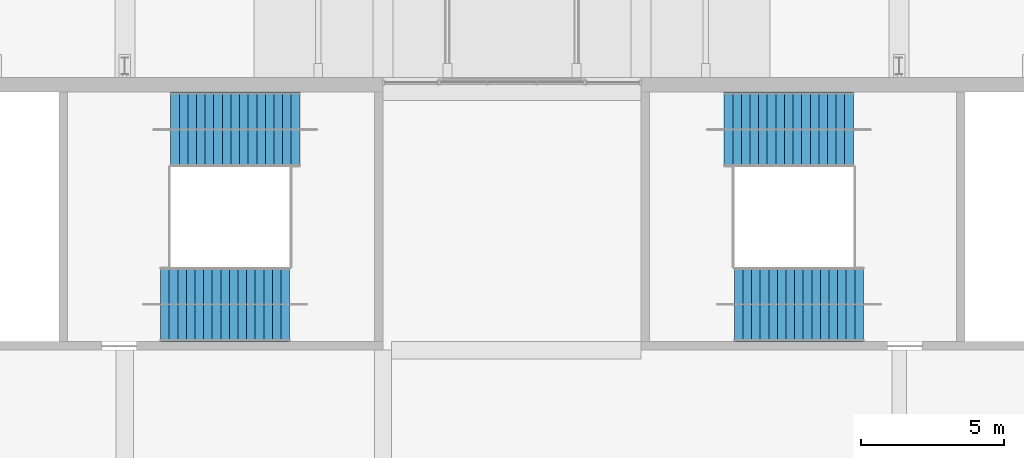
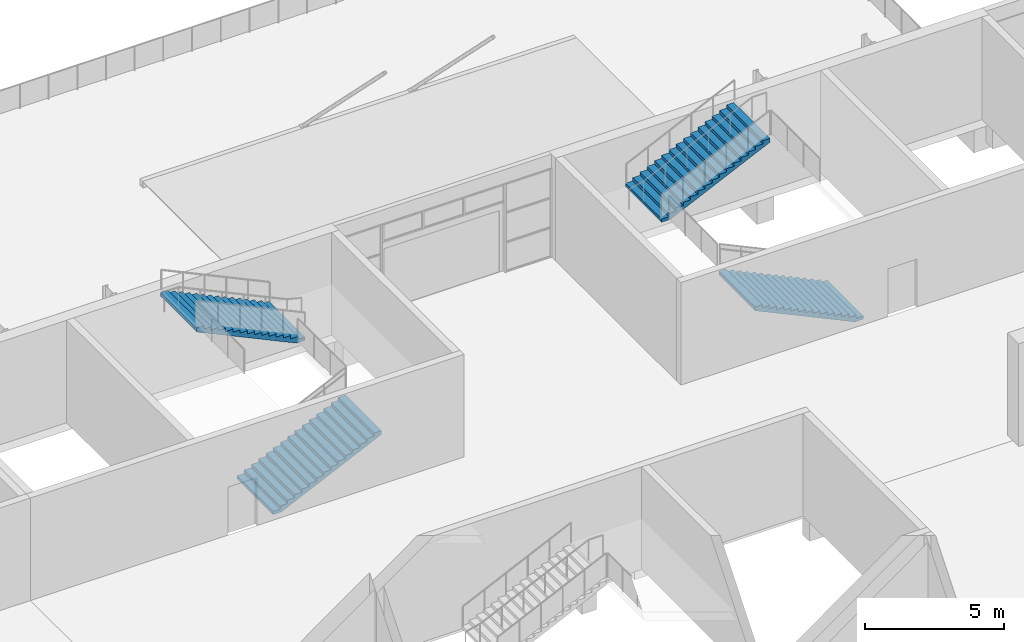
# One storey, part 111 of 168: 4 stair flights, 2 elements without a shape of their own.
"""IFC4 building model written with IfcOpenShell, lengths in metres."""

from ifc_helpers import new_model, si_unit, direction, frame, origin, place, context, subcontext, project, spatial, polyline, outline, extrude, material, type_object, element, aggregate, save


model = new_model("IFC4")

# Units and contexts
model_context = context("Model", 3, precision=1e-05, world=origin(), true_north=direction((0.0, 1.0)))
body_context = subcontext(model_context, "Body", "Model", "MODEL_VIEW")
ifc_project = project(units=[si_unit("LENGTHUNIT", "METRE"), si_unit("AREAUNIT", "SQUARE_METRE"), si_unit("VOLUMEUNIT", "CUBIC_METRE"), si_unit("PLANEANGLEUNIT", "RADIAN"), si_unit("MASSUNIT", "GRAM", prefix="KILO")], contexts=[model_context])

# Site, building, storey
site_placement = place(None, origin())
site = spatial("IfcSite", under=ifc_project, at=site_placement, CompositionType="ELEMENT")
building_placement = place(site_placement, origin())
building = spatial("IfcBuilding", under=site, at=building_placement, Name="Silverbay Arena", CompositionType="ELEMENT")
storey_placement = place(building_placement, frame((0.0, 0.0, 7.0)))
storey = spatial("IfcBuildingStorey", under=building, at=storey_placement, Name="L01", CompositionType="ELEMENT", Elevation=7.0)

# Stair, stair flights
ifc_material_1 = material(Name="Concrete Grade C45", Category="concrete")
stair_type = type_object("IfcStairType", Name="Stair 2600 wide 32 risers 140.6 x 300", PredefinedType="HALF_TURN_STAIR", material=ifc_material_1)
stair_1_placement = place(storey_placement, origin())
stair_1 = element("IfcStair", 1, at=stair_1_placement, inside=storey, type_object=stair_type, Name="Stair ST-N4 L01 to L02", PredefinedType="HALF_TURN_STAIR")
ifc_material_2 = material(Name="Concrete Grade C45", Category="concrete")
stair_flight_type = type_object("IfcStairFlightType", Name="Stair flight 2600 wide 16 risers 140.6 x 300", PredefinedType="STRAIGHT", material=ifc_material_2)
stair_flight_1_placement = place(storey_placement, frame((172.24658203125, 136.60009765625, 0.0), z_axis=(0.0, 0.0, 1.0), x_axis=(1.0, 0.0, 0.0)))
stair_flight_1 = element("IfcStairFlight", 2, at=stair_flight_1_placement, type_object=stair_flight_type, Name="Stair ST-N4 L01 to L02 flight 1", NumberOfRisers=16, NumberOfTreads=15, PredefinedType="STRAIGHT", RiserHeight=0.140625, TreadLength=0.3, context=body_context, shape_type="SweptSolid", body=[
    extrude(outline(polyline([(0.0, 0.0), (0.0, 0.140625), (0.300048828125, 0.140625), (0.300048828125, 0.28125), (0.60009765625, 0.28125), (0.60009765625, 0.421875), (0.89990234375, 0.421875), (0.89990234375, 0.5625), (1.199951171875, 0.5625), (1.199951171875, 0.703125), (1.5, 0.703125), (1.5, 0.84375), (1.800048828125, 0.84375), (1.800048828125, 0.984375), (2.10009765625, 0.984375), (2.10009765625, 1.125), (2.39990234375, 1.125), (2.39990234375, 1.265625), (2.699951171875, 1.265625), (2.699951171875, 1.40625), (3.0, 1.40625), (3.0, 1.546875), (3.300048828125, 1.546875), (3.300048828125, 1.6875), (3.60009765625, 1.6875), (3.60009765625, 1.828125), (3.89990234375, 1.828125), (3.89990234375, 1.96875), (4.199951171875, 1.96875), (4.199951171875, 2.109375), (4.5, 2.109375), (4.5, 1.94384765625), (0.353271484375, 0.0), (0.0, 0.0)])), frame((0.0, 1.300048828125, 0.0), z_axis=(0.0, -1.0, 0.0), x_axis=(1.0, 0.0, 0.0)), (0.0, 0.0, 1.0), 2.60009765625),
])
stair_flight_2_placement = place(storey_placement, frame((177.10009765625, 142.699951171875, 2.25), z_axis=(0.0, 0.0, 1.0), x_axis=(-1.0, 0.0, 0.0)))
stair_flight_2 = element("IfcStairFlight", 3, at=stair_flight_2_placement, type_object=stair_flight_type, Name="Stair ST-N4 L01 to L02 flight 2", NumberOfRisers=16, NumberOfTreads=15, PredefinedType="STRAIGHT", RiserHeight=0.140625, TreadLength=0.3, context=body_context, shape_type="SweptSolid", body=[
    extrude(outline(polyline([(0.0, 0.0), (0.0, 0.140625), (0.300048828125, 0.140625), (0.300048828125, 0.28125), (0.60009765625, 0.28125), (0.60009765625, 0.421875), (0.89990234375, 0.421875), (0.89990234375, 0.5625), (1.199951171875, 0.5625), (1.199951171875, 0.703125), (1.5, 0.703125), (1.5, 0.84375), (1.800048828125, 0.84375), (1.800048828125, 0.984375), (2.10009765625, 0.984375), (2.10009765625, 1.125), (2.39990234375, 1.125), (2.39990234375, 1.265625), (2.699951171875, 1.265625), (2.699951171875, 1.40625), (3.0, 1.40625), (3.0, 1.546875), (3.300048828125, 1.546875), (3.300048828125, 1.6875), (3.60009765625, 1.6875), (3.60009765625, 1.828125), (3.89990234375, 1.828125), (3.89990234375, 1.96875), (4.199951171875, 1.96875), (4.199951171875, 2.109375), (4.5, 2.109375), (4.5, 1.94384765625), (0.353271484375, 0.0), (0.0, 0.0)])), frame((0.0, 1.300048828125, 0.0), z_axis=(0.0, -1.0, 0.0), x_axis=(1.0, 0.0, 0.0)), (0.0, 0.0, 1.0), 2.60009765625),
])
aggregate(stair_1, [stair_flight_1, stair_flight_2])

stair_2_placement = place(storey_placement, origin())
stair_2 = element("IfcStair", 4, at=stair_2_placement, inside=storey, type_object=stair_type, Name="Stair ST-N6 L01 to L02", PredefinedType="HALF_TURN_STAIR")
stair_flight_3_placement = place(storey_placement, frame((196.75341796875, 136.60009765625, 0.0), z_axis=(0.0, 0.0, 1.0), x_axis=(-1.0, 0.0, 0.0)))
stair_flight_3 = element("IfcStairFlight", 5, at=stair_flight_3_placement, type_object=stair_flight_type, Name="Stair ST-N6 L01 to L02 flight 1", NumberOfRisers=16, NumberOfTreads=15, PredefinedType="STRAIGHT", RiserHeight=0.140625, TreadLength=0.3, context=body_context, shape_type="SweptSolid", body=[
    extrude(outline(polyline([(0.0, 0.0), (0.0, 0.140625), (0.300048828125, 0.140625), (0.300048828125, 0.28125), (0.60009765625, 0.28125), (0.60009765625, 0.421875), (0.89990234375, 0.421875), (0.89990234375, 0.5625), (1.199951171875, 0.5625), (1.199951171875, 0.703125), (1.5, 0.703125), (1.5, 0.84375), (1.800048828125, 0.84375), (1.800048828125, 0.984375), (2.10009765625, 0.984375), (2.10009765625, 1.125), (2.39990234375, 1.125), (2.39990234375, 1.265625), (2.699951171875, 1.265625), (2.699951171875, 1.40625), (3.0, 1.40625), (3.0, 1.546875), (3.300048828125, 1.546875), (3.300048828125, 1.6875), (3.60009765625, 1.6875), (3.60009765625, 1.828125), (3.89990234375, 1.828125), (3.89990234375, 1.96875), (4.199951171875, 1.96875), (4.199951171875, 2.109375), (4.5, 2.109375), (4.5, 1.94384765625), (0.353271484375, 0.0), (0.0, 0.0)])), frame((0.0, 1.300048828125, 0.0), z_axis=(0.0, -1.0, 0.0), x_axis=(1.0, 0.0, 0.0)), (0.0, 0.0, 1.0), 2.60009765625),
])
stair_flight_4_placement = place(storey_placement, frame((191.89990234375, 142.699951171875, 2.25), z_axis=(0.0, 0.0, 1.0), x_axis=(1.0, 0.0, 0.0)))
stair_flight_4 = element("IfcStairFlight", 6, at=stair_flight_4_placement, type_object=stair_flight_type, Name="Stair ST-N6 L01 to L02 flight 2", NumberOfRisers=16, NumberOfTreads=15, PredefinedType="STRAIGHT", RiserHeight=0.140625, TreadLength=0.3, context=body_context, shape_type="SweptSolid", body=[
    extrude(outline(polyline([(0.0, 0.0), (0.0, 0.140625), (0.300048828125, 0.140625), (0.300048828125, 0.28125), (0.60009765625, 0.28125), (0.60009765625, 0.421875), (0.89990234375, 0.421875), (0.89990234375, 0.5625), (1.199951171875, 0.5625), (1.199951171875, 0.703125), (1.5, 0.703125), (1.5, 0.84375), (1.800048828125, 0.84375), (1.800048828125, 0.984375), (2.10009765625, 0.984375), (2.10009765625, 1.125), (2.39990234375, 1.125), (2.39990234375, 1.265625), (2.699951171875, 1.265625), (2.699951171875, 1.40625), (3.0, 1.40625), (3.0, 1.546875), (3.300048828125, 1.546875), (3.300048828125, 1.6875), (3.60009765625, 1.6875), (3.60009765625, 1.828125), (3.89990234375, 1.828125), (3.89990234375, 1.96875), (4.199951171875, 1.96875), (4.199951171875, 2.109375), (4.5, 2.109375), (4.5, 1.94384765625), (0.353271484375, 0.0), (0.0, 0.0)])), frame((0.0, 1.300048828125, 0.0), z_axis=(0.0, -1.0, 0.0), x_axis=(1.0, 0.0, 0.0)), (0.0, 0.0, 1.0), 2.60009765625),
])
aggregate(stair_2, [stair_flight_3, stair_flight_4])

save(model, "model.ifc")
